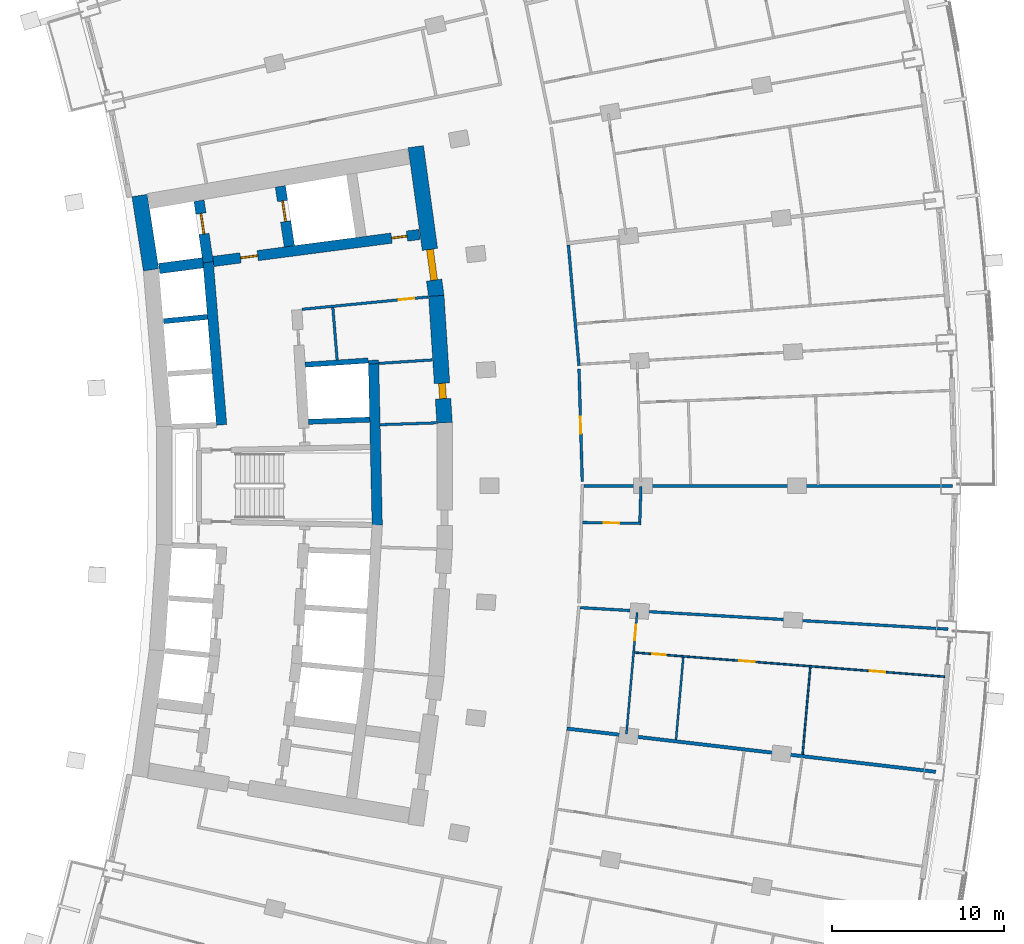
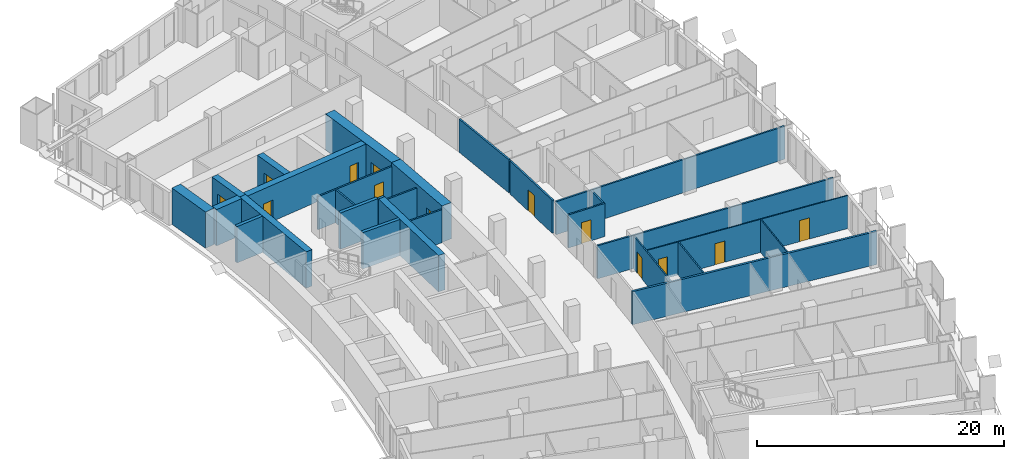
# One storey, part 17 of 25: 28 walls, 13 doors, 13 openings.
"""IFC4 building model written with IfcOpenShell, lengths in metres."""

from ifc_helpers import new_model, si_unit, direction, frame, frame_2d, origin, place, context, subcontext, project, spatial, rectangle, extrude, material, layer, layer_set, type_object, element, fill, save


model = new_model("IFC4")

# Units and contexts
model_context = context("Model", 3, precision=1e-05, world=origin(), true_north=direction((0.0, 1.0)))
body_context = subcontext(model_context, "Body", "Model", "MODEL_VIEW")
ifc_project = project(units=[si_unit("LENGTHUNIT", "METRE"), si_unit("AREAUNIT", "SQUARE_METRE"), si_unit("VOLUMEUNIT", "CUBIC_METRE"), si_unit("PLANEANGLEUNIT", "RADIAN"), si_unit("MASSUNIT", "GRAM", prefix="KILO")], contexts=[model_context])

# Site, building, storey
site_placement = place(None, origin())
site = spatial("IfcSite", under=ifc_project, at=site_placement, CompositionType="ELEMENT")
building_placement = place(site_placement, origin())
building = spatial("IfcBuilding", under=site, at=building_placement, Name="Alderwake Tower", CompositionType="ELEMENT")
storey_placement = place(building_placement, frame((0.0, 0.0, 60.800048828125)))
storey = spatial("IfcBuildingStorey", under=building, at=storey_placement, Name="L14", CompositionType="ELEMENT", Elevation=60.800048828125)

# Walls
ifc_material_1 = material(Name="Gypsum shaft wall system, rated")
ifc_layer_1 = layer(ifc_material_1, 0.14990234375)
ifc_layer_set_1 = layer_set([ifc_layer_1], Name="Core room partition 150")
wall_type_1 = type_object("IfcWallType", Name="Core room partition 150", PredefinedType="PARTITIONING", material=ifc_layer_set_1)
wall_1_placement = place(storey_placement, frame((26.94970703125, 68.3203125, 0.0), z_axis=(0.0, 0.0, 1.0), x_axis=(-0.082463525817, 0.996594083321, 0.0)))
element("IfcWall", 1, at=wall_1_placement, inside=storey, type_object=wall_type_1, Name="CW/L14/PA+107_+70", PredefinedType="PARTITIONING", context=body_context, shape_type="SweptSolid", body=[
    extrude(rectangle(XDim=3.055419921875, YDim=0.14990234375, at=frame_2d((1.52783203125, 0.0))), origin(), (0.0, 0.0, 1.0), 3.280029296875),
])
wall_2_placement = place(storey_placement, frame((29.447509765625, 64.559814453125, 0.0), z_axis=(0.0, 0.0, 1.0), x_axis=(0.999470664956, 0.032532904763, 0.0)))
element("IfcWall", 2, at=wall_2_placement, inside=storey, type_object=wall_type_1, Name="CW/L14/PR+34_+128", PredefinedType="PARTITIONING", context=body_context, shape_type="SweptSolid", body=[
    extrude(rectangle(XDim=3.264404296875, YDim=0.14990234375, at=frame_2d((1.63232421875, 0.0))), origin(), (0.0, 0.0, 1.0), 3.280029296875),
])
wall_3_placement = place(storey_placement, frame((29.36865234375, 68.1220703125, 0.0), z_axis=(0.0, 0.0, 1.0), x_axis=(0.997885090452, 0.065002663433, 0.0)))
element("IfcWall", 3, at=wall_3_placement, inside=storey, type_object=wall_type_1, Name="CW/L14/PR+68_+128", PredefinedType="PARTITIONING", context=body_context, shape_type="SweptSolid", body=[
    extrude(rectangle(XDim=3.10986328125, YDim=0.14990234375, at=frame_2d((1.554931640625, 0.0))), origin(), (0.0, 0.0, 1.0), 3.280029296875),
])

# Wall, opening, door
wall_4_placement = place(storey_placement, frame((32.233642578125, 71.982177734375, 0.0), z_axis=(0.0, 0.0, 1.0), x_axis=(-0.995245540971, -0.097397706226, 0.0)))
wall_4 = element("IfcWall", 4, at=wall_4_placement, inside=storey, type_object=wall_type_1, Name="CW/L14/PR+102_+86", PredefinedType="PARTITIONING", context=body_context, shape_type="SweptSolid", body=[
    extrude(rectangle(XDim=7.36962890625, YDim=0.14990234375, at=frame_2d((3.684814453125, 0.0))), origin(), (0.0, 0.0, 1.0), 3.280029296875),
])
opening_1_placement = place(wall_4_placement, frame((0.819580078125, 0.0, 0.0)))
opening_1 = element("IfcOpeningElement", 5, at=opening_1_placement, cuts=wall_4, Name="Opening C021", PredefinedType="OPENING", context=body_context, shape_type="SweptSolid", body=[
    extrude(rectangle(XDim=0.89990234375, YDim=2.10009765625, at=frame_2d((0.449951171875, 1.050048828125))), frame((0.0, 0.0849609375, 0.0), z_axis=(0.0, -1.0, 0.0), x_axis=(1.0, 0.0, 0.0)), (0.0, 0.0, 1.0), 0.169921875),
])
ifc_material_2 = material(Name="Painted steel leaf", Category="steel")
door_type_1 = type_object("IfcDoorType", Name="Core room door 900", OperationType="SINGLE_SWING_LEFT", PredefinedType="DOOR", material=ifc_material_2)
door_1_placement = place(opening_1_placement, origin())
door_1 = element("IfcDoor", 6, at=door_1_placement, inside=storey, type_object=door_type_1, Name="Room door", OperationType="SINGLE_SWING_RIGHT", OverallHeight=2.10009765625, OverallWidth=0.89990234375, PredefinedType="DOOR", context=body_context, shape_type="SweptSolid", body=[
    extrude(rectangle(XDim=0.89990234375, YDim=2.10009765625, at=frame_2d((0.449951171875, 1.050048828125))), frame((0.0, 0.02490234375, 0.0), z_axis=(0.0, -1.0, 0.0), x_axis=(1.0, 0.0, 0.0)), (0.0, 0.0, 1.0), 0.050048828125),
])
fill(opening_1, door_1)

# Wall
ifc_material_3 = material(Name="Concrete C70/85", Category="concrete")
ifc_layer_2 = layer(ifc_material_3, 0.89990234375)
ifc_layer_set_2 = layer_set([ifc_layer_2], Name="Core wall outer 900 C70-85")
wall_type_2 = type_object("IfcWallType", Name="Core wall outer 900 C70-85", PredefinedType="SHEAR", material=ifc_layer_set_2)
wall_5_placement = place(storey_placement, frame((16.1337890625, 73.557373046875, 0.0), z_axis=(0.0, 0.0, 1.0), x_axis=(-0.151956504286, 0.988387181627, 0.0)))
element("IfcWall", 7, at=wall_5_placement, inside=storey, type_object=wall_type_2, Name="Core wall CW.039", PredefinedType="SHEAR", context=body_context, shape_type="SweptSolid", body=[
    extrude(rectangle(XDim=4.373291015625, YDim=0.89990234375, at=frame_2d((2.1865234375, 0.0))), origin(), (0.0, 0.0, 1.0), 3.599853515625),
])

# Wall, opening, door
wall_6_placement = place(storey_placement, frame((32.710693359375, 72.04541015625, 0.0), z_axis=(0.0, 0.0, 1.0), x_axis=(0.064976219143, -0.997886812693, 0.0)))
wall_6 = element("IfcWall", 8, at=wall_6_placement, inside=storey, type_object=wall_type_2, Name="Core wall CW.010", PredefinedType="SHEAR", context=body_context, shape_type="SweptSolid", body=[
    extrude(rectangle(XDim=7.39453125, YDim=0.89990234375, at=frame_2d((3.697265625, 0.0))), origin(), (0.0, 0.0, 1.0), 3.599853515625),
])
opening_2_placement = place(wall_6_placement, frame((5.089111328125, 0.0, 0.0)))
opening_2 = element("IfcOpeningElement", 9, at=opening_2_placement, cuts=wall_6, Name="Opening C035", PredefinedType="OPENING", context=body_context, shape_type="SweptSolid", body=[
    extrude(rectangle(XDim=0.89990234375, YDim=2.10009765625, at=frame_2d((0.449951171875, 1.050048828125))), frame((0.0, 0.4599609375, 0.0), z_axis=(0.0, -1.0, 0.0), x_axis=(1.0, 0.0, 0.0)), (0.0, 0.0, 1.0), 0.919921875),
])
door_2_placement = place(opening_2_placement, origin())
door_2 = element("IfcDoor", 10, at=door_2_placement, inside=storey, type_object=door_type_1, Name="Room door", OperationType="SINGLE_SWING_RIGHT", OverallHeight=2.10009765625, OverallWidth=0.89990234375, PredefinedType="DOOR", context=body_context, shape_type="SweptSolid", body=[
    extrude(rectangle(XDim=0.89990234375, YDim=2.10009765625, at=frame_2d((0.449951171875, 1.050048828125))), frame((0.0, 0.199951171875, 0.0), z_axis=(0.0, -1.0, 0.0), x_axis=(1.0, 0.0, 0.0)), (0.0, 0.0, 1.0), 0.39990234375),
])
fill(opening_2, door_2)

wall_7_placement = place(storey_placement, frame((31.520263671875, 80.7177734375, 0.0), z_axis=(0.0, 0.0, 1.0), x_axis=(0.135844728876, -0.990730139663, 0.0)))
wall_7 = element("IfcWall", 11, at=wall_7_placement, inside=storey, type_object=wall_type_2, Name="Core wall CW.009", PredefinedType="SHEAR", context=body_context, shape_type="SweptSolid", body=[
    extrude(rectangle(XDim=8.78662109375, YDim=0.89990234375, at=frame_2d((4.393310546875, 0.0))), origin(), (0.0, 0.0, 1.0), 3.599853515625),
])
opening_3_placement = place(wall_7_placement, frame((6.02978515625, 0.0, 0.0)))
opening_3 = element("IfcOpeningElement", 12, at=opening_3_placement, cuts=wall_7, Name="Opening C001", PredefinedType="OPENING", context=body_context, shape_type="SweptSolid", body=[
    extrude(rectangle(XDim=1.800048828125, YDim=2.10009765625, at=frame_2d((0.89990234375, 1.050048828125))), frame((0.0, 0.4599609375, 0.0), z_axis=(0.0, -1.0, 0.0), x_axis=(1.0, 0.0, 0.0)), (0.0, 0.0, 1.0), 0.919921875),
])
ifc_material_4 = material(Name="Steel-framed fire door leaves", Category="steel")
door_type_2 = type_object("IfcDoorType", Name="Core double door 1800 fire-rated", OperationType="DOUBLE_DOOR_SINGLE_SWING", PredefinedType="DOOR", material=ifc_material_4)
door_3_placement = place(opening_3_placement, origin())
door_3 = element("IfcDoor", 13, at=door_3_placement, inside=storey, type_object=door_type_2, Name="Lobby double door", OperationType="DOUBLE_DOOR_SINGLE_SWING", OverallHeight=2.10009765625, OverallWidth=1.800048828125, PredefinedType="DOOR", context=body_context, shape_type="SweptSolid", body=[
    extrude(rectangle(XDim=1.800048828125, YDim=2.10009765625, at=frame_2d((0.89990234375, 1.050048828125))), frame((0.0, 0.199951171875, 0.0), z_axis=(0.0, -1.0, 0.0), x_axis=(1.0, 0.0, 0.0)), (0.0, 0.0, 1.0), 0.39990234375),
])
fill(opening_3, door_3)

# Walls
ifc_material_5 = material(Name="Concrete C70/85", Category="concrete")
ifc_layer_3 = layer(ifc_material_5, 0.300048828125)
ifc_layer_set_3 = layer_set([ifc_layer_3], Name="Core wall shaft 300 C70-85")
wall_type_3 = type_object("IfcWallType", Name="Core wall shaft 300 C70-85", PredefinedType="SHEAR", material=ifc_layer_set_3)
wall_8_placement = place(storey_placement, frame((25.291259765625, 64.72705078125, 0.0), z_axis=(0.0, 0.0, 1.0), x_axis=(0.999373231824, 0.035399767136, 0.0)))
element("IfcWall", 14, at=wall_8_placement, inside=storey, type_object=wall_type_3, Name="Core wall CW.060", PredefinedType="SHEAR", context=body_context, shape_type="SweptSolid", body=[
    extrude(rectangle(XDim=3.5517578125, YDim=0.300048828125, at=frame_2d((1.77587890625, 0.0))), origin(), (0.0, 0.0, 1.0), 3.599853515625),
])
wall_9_placement = place(storey_placement, frame((25.09228515625, 68.04541015625, 0.0), z_axis=(0.0, 0.0, 1.0), x_axis=(0.997760375614, 0.066889706642, 0.0)))
element("IfcWall", 15, at=wall_9_placement, inside=storey, type_object=wall_type_3, Name="Core wall CW.063", PredefinedType="SHEAR", context=body_context, shape_type="SweptSolid", body=[
    extrude(rectangle(XDim=3.671875, YDim=0.300048828125, at=frame_2d((1.8359375, 0.0))), origin(), (0.0, 0.0, 1.0), 3.599853515625),
])
wall_10_placement = place(storey_placement, frame((16.86181640625, 70.571533203125, 0.0), z_axis=(0.0, 0.0, 1.0), x_axis=(0.995151424955, 0.098354671516, 0.0)))
element("IfcWall", 16, at=wall_10_placement, inside=storey, type_object=wall_type_3, Name="Core wall CW.050", PredefinedType="SHEAR", context=body_context, shape_type="SweptSolid", body=[
    extrude(rectangle(XDim=2.566650390625, YDim=0.300048828125, at=frame_2d((1.283203125, 0.0))), origin(), (0.0, 0.0, 1.0), 3.599853515625),
])
ifc_material_6 = material(Name="Concrete C70/85", Category="concrete")
ifc_layer_4 = layer(ifc_material_6, 0.60009765625)
ifc_layer_set_4 = layer_set([ifc_layer_4], Name="Core wall spine 600 C70-85")
wall_type_4 = type_object("IfcWallType", Name="Core wall spine 600 C70-85", PredefinedType="SHEAR", material=ifc_layer_set_4)
wall_11_placement = place(storey_placement, frame((20.2373046875, 64.548095703125, 0.0), z_axis=(0.0, 0.0, 1.0), x_axis=(-0.082626598613, 0.996580576372, 0.0)))
element("IfcWall", 17, at=wall_11_placement, inside=storey, type_object=wall_type_4, Name="Core wall CW.031", PredefinedType="SHEAR", context=body_context, shape_type="SweptSolid", body=[
    extrude(rectangle(XDim=9.50244140625, YDim=0.60009765625, at=frame_2d((4.751220703125, 0.0))), origin(), (0.0, 0.0, 1.0), 3.599853515625),
])

# Wall, opening, door
wall_12_placement = place(storey_placement, frame((19.45458984375, 73.99755859375, 0.0), z_axis=(0.0, 0.0, 1.0), x_axis=(-0.147502312715, 0.989061710786, 0.0)))
wall_12 = element("IfcWall", 18, at=wall_12_placement, inside=storey, type_object=wall_type_4, Name="Core wall CW.030", PredefinedType="SHEAR", context=body_context, shape_type="SweptSolid", body=[
    extrude(rectangle(XDim=3.6181640625, YDim=0.60009765625, at=frame_2d((1.80908203125, 0.0))), origin(), (0.0, 0.0, 1.0), 3.599853515625),
])
opening_4_placement = place(wall_12_placement, frame((1.664306640625, 0.0, 0.0)))
opening_4 = element("IfcOpeningElement", 19, at=opening_4_placement, cuts=wall_12, Name="Opening LD-FF1", PredefinedType="OPENING", context=body_context, shape_type="SweptSolid", body=[
    extrude(rectangle(XDim=1.199951171875, YDim=2.300048828125, at=frame_2d((0.60009765625, 1.14990234375))), frame((0.0, 0.31005859375, 0.0), z_axis=(0.0, -1.0, 0.0), x_axis=(1.0, 0.0, 0.0)), (0.0, 0.0, 1.0), 0.6201171875),
])
ifc_material_7 = material(Name="Stainless steel sliding leaf", Category="steel")
door_type_3 = type_object("IfcDoorType", Name="Lift landing door 1200", OperationType="SLIDING_TO_LEFT", PredefinedType="DOOR", material=ifc_material_7)
door_4_placement = place(opening_4_placement, origin())
door_4 = element("IfcDoor", 20, at=door_4_placement, inside=storey, type_object=door_type_3, Name="Lift landing door FF1", OperationType="SLIDING_TO_LEFT", OverallHeight=2.300048828125, OverallWidth=1.199951171875, PredefinedType="DOOR", context=body_context, shape_type="SweptSolid", body=[
    extrude(rectangle(XDim=1.199951171875, YDim=2.300048828125, at=frame_2d((0.60009765625, 1.14990234375))), frame((0.0, 0.050048828125, 0.0), z_axis=(0.0, -1.0, 0.0), x_axis=(1.0, 0.0, 0.0)), (0.0, 0.0, 1.0), 0.10009765625),
])
fill(opening_4, door_4)

wall_13_placement = place(storey_placement, frame((24.173095703125, 74.927734375, 0.0), z_axis=(0.0, 0.0, 1.0), x_axis=(-0.14910953086, 0.988820685365, 0.0)))
wall_13 = element("IfcWall", 21, at=wall_13_placement, inside=storey, type_object=wall_type_4, Name="Core wall CW.044", PredefinedType="SHEAR", context=body_context, shape_type="SweptSolid", body=[
    extrude(rectangle(XDim=3.5234375, YDim=0.60009765625, at=frame_2d((1.76171875, 0.0))), origin(), (0.0, 0.0, 1.0), 3.599853515625),
])
opening_5_placement = place(wall_13_placement, frame((1.4619140625, 0.0, 0.0)))
opening_5 = element("IfcOpeningElement", 22, at=opening_5_placement, cuts=wall_13, Name="Opening LD-FF2", PredefinedType="OPENING", context=body_context, shape_type="SweptSolid", body=[
    extrude(rectangle(XDim=1.199951171875, YDim=2.300048828125, at=frame_2d((0.60009765625, 1.14990234375))), frame((0.0, 0.31005859375, 0.0), z_axis=(0.0, -1.0, 0.0), x_axis=(1.0, 0.0, 0.0)), (0.0, 0.0, 1.0), 0.6201171875),
])
door_5_placement = place(opening_5_placement, origin())
door_5 = element("IfcDoor", 23, at=door_5_placement, inside=storey, type_object=door_type_3, Name="Lift landing door FF2", OperationType="SLIDING_TO_LEFT", OverallHeight=2.300048828125, OverallWidth=1.199951171875, PredefinedType="DOOR", context=body_context, shape_type="SweptSolid", body=[
    extrude(rectangle(XDim=1.199951171875, YDim=2.300048828125, at=frame_2d((0.60009765625, 1.14990234375))), frame((0.0, 0.050048828125, 0.0), z_axis=(0.0, -1.0, 0.0), x_axis=(1.0, 0.0, 0.0)), (0.0, 0.0, 1.0), 0.10009765625),
])
fill(opening_5, door_5)

# Walls
wall_14_placement = place(storey_placement, frame((29.276611328125, 58.714111328125, 0.0), z_axis=(0.0, 0.0, 1.0), x_axis=(-0.022107681417, 0.999755595344, 0.0)))
element("IfcWall", 24, at=wall_14_placement, inside=storey, type_object=wall_type_4, Name="Core wall CW.007", PredefinedType="SHEAR", context=body_context, shape_type="SweptSolid", body=[
    extrude(rectangle(XDim=9.397705078125, YDim=0.60009765625, at=frame_2d((4.69873046875, 0.0))), origin(), (0.0, 0.0, 1.0), 3.599853515625),
])
wall_15_placement = place(storey_placement, frame((29.069580078125, 68.095458984375, 0.0), z_axis=(0.0, 0.0, 1.0), x_axis=(-0.066669007539, 0.997775146731, 0.0)))
element("IfcWall", 25, at=wall_15_placement, inside=storey, type_object=wall_type_4, Name="Core wall CW.003", PredefinedType="SHEAR", context=body_context, shape_type="SweptSolid", body=[
    extrude(rectangle(XDim=0.216064453125, YDim=0.60009765625, at=frame_2d((0.10791015625, 0.0))), origin(), (0.0, 0.0, 1.0), 3.599853515625),
])
wall_16_placement = place(storey_placement, frame((16.607666015625, 73.635498046875, 0.0), z_axis=(0.0, 0.0, 1.0), x_axis=(0.991551057449, 0.129717001478, 0.0)))
element("IfcWall", 26, at=wall_16_placement, inside=storey, type_object=wall_type_4, Name="Core wall CW.051", PredefinedType="SHEAR", context=body_context, shape_type="SweptSolid", body=[
    extrude(rectangle(XDim=2.569091796875, YDim=0.60009765625, at=frame_2d((1.28466796875, 0.0))), origin(), (0.0, 0.0, 1.0), 3.599853515625),
])

# Wall, openings, doors
wall_17_placement = place(storey_placement, frame((31.735595703125, 75.6142578125, 0.0), z_axis=(0.0, 0.0, 1.0), x_axis=(-0.991553829991, -0.129695806526, 0.0)))
wall_17 = element("IfcWall", 27, at=wall_17_placement, inside=storey, type_object=wall_type_4, Name="Core wall CW.052", PredefinedType="SHEAR", context=body_context, shape_type="SweptSolid", body=[
    extrude(rectangle(XDim=12.0869140625, YDim=0.60009765625, at=frame_2d((6.04345703125, 0.0))), origin(), (0.0, 0.0, 1.0), 3.599853515625),
])
opening_6_placement = place(wall_17_placement, frame((9.4873046875, 0.0, 0.0)))
opening_6 = element("IfcOpeningElement", 28, at=opening_6_placement, cuts=wall_17, Name="Opening C002", PredefinedType="OPENING", context=body_context, shape_type="SweptSolid", body=[
    extrude(rectangle(XDim=1.0, YDim=2.10009765625, at=frame_2d((0.5, 1.050048828125))), frame((0.0, 0.31005859375, 0.0), z_axis=(0.0, -1.0, 0.0), x_axis=(1.0, 0.0, 0.0)), (0.0, 0.0, 1.0), 0.6201171875),
])
opening_7_placement = place(wall_17_placement, frame((0.7373046875, 0.0, 0.0)))
opening_7 = element("IfcOpeningElement", 29, at=opening_7_placement, cuts=wall_17, Name="Opening C020", PredefinedType="OPENING", context=body_context, shape_type="SweptSolid", body=[
    extrude(rectangle(XDim=0.89990234375, YDim=2.10009765625, at=frame_2d((0.449951171875, 1.050048828125))), frame((0.0, 0.31005859375, 0.0), z_axis=(0.0, -1.0, 0.0), x_axis=(1.0, 0.0, 0.0)), (0.0, 0.0, 1.0), 0.6201171875),
])
door_6_placement = place(opening_7_placement, origin())
door_6 = element("IfcDoor", 30, at=door_6_placement, inside=storey, type_object=door_type_1, Name="Room door", OperationType="SINGLE_SWING_LEFT", OverallHeight=2.10009765625, OverallWidth=0.89990234375, PredefinedType="DOOR", context=body_context, shape_type="SweptSolid", body=[
    extrude(rectangle(XDim=0.89990234375, YDim=2.10009765625, at=frame_2d((0.449951171875, 1.050048828125))), frame((0.0, 0.050048828125, 0.0), z_axis=(0.0, -1.0, 0.0), x_axis=(1.0, 0.0, 0.0)), (0.0, 0.0, 1.0), 0.10009765625),
])
fill(opening_7, door_6)
ifc_material_8 = material(Name="Steel-framed fire door leaf", Category="steel")
door_type_4 = type_object("IfcDoorType", Name="Firefighting lobby door 1000 fire-rated", OperationType="SINGLE_SWING_LEFT", PredefinedType="DOOR", material=ifc_material_8)
door_7_placement = place(opening_6_placement, origin())
door_7 = element("IfcDoor", 31, at=door_7_placement, inside=storey, type_object=door_type_4, Name="Firefighting lobby door", OperationType="SINGLE_SWING_RIGHT", OverallHeight=2.10009765625, OverallWidth=1.0, PredefinedType="DOOR", context=body_context, shape_type="SweptSolid", body=[
    extrude(rectangle(XDim=1.0, YDim=2.10009765625, at=frame_2d((0.5, 1.050048828125))), frame((0.0, 0.050048828125, 0.0), z_axis=(0.0, -1.0, 0.0), x_axis=(1.0, 0.0, 0.0)), (0.0, 0.0, 1.0), 0.10009765625),
])
fill(opening_6, door_7)

# Wall
ifc_material_9 = material(Name="Gypsum board on metal studs, rated")
ifc_layer_5 = layer(ifc_material_9, 0.159912109375)
ifc_layer_set_5 = layer_set([ifc_layer_5], Name="Corridor wall 160")
wall_type_5 = type_object("IfcWallType", Name="Corridor wall 160", PredefinedType="PARTITIONING", material=ifc_layer_set_5)
wall_18_placement = place(storey_placement, frame((41.001953125, 67.9873046875, 0.0), z_axis=(0.0, 0.0, 1.0), x_axis=(-0.087430787456, 0.996170596537, 0.0)))
element("IfcWall", 32, at=wall_18_placement, inside=storey, type_object=wall_type_5, Name="WL/L14/W37", PredefinedType="PARTITIONING", context=body_context, shape_type="SweptSolid", body=[
    extrude(rectangle(XDim=7.048095703125, YDim=0.159912109375, at=frame_2d((3.52392578125, 0.0))), origin(), (0.0, 0.0, 1.0), 3.280029296875),
])

# Wall, opening, door
wall_19_placement = place(storey_placement, frame((41.002685546875, 67.80029296875, 0.0), z_axis=(0.0, 0.0, 1.0), x_axis=(0.02886788617, -0.999583235728, 0.0)))
wall_19 = element("IfcWall", 33, at=wall_19_placement, inside=storey, type_object=wall_type_5, Name="WL/L14/W38", PredefinedType="PARTITIONING", context=body_context, shape_type="SweptSolid", body=[
    extrude(rectangle(XDim=6.537353515625, YDim=0.159912109375, at=frame_2d((3.2685546875, 0.0))), origin(), (0.0, 0.0, 1.0), 3.280029296875),
])
opening_8_placement = place(wall_19_placement, frame((2.768798828125, 0.0, 0.0)))
opening_8 = element("IfcOpeningElement", 34, at=opening_8_placement, cuts=wall_19, Name="Opening R03-U07.2", PredefinedType="OPENING", context=body_context, shape_type="SweptSolid", body=[
    extrude(rectangle(XDim=1.0, YDim=2.10009765625, at=frame_2d((0.5, 1.050048828125))), frame((0.0, 0.08984375, 0.0), z_axis=(0.0, -1.0, 0.0), x_axis=(1.0, 0.0, 0.0)), (0.0, 0.0, 1.0), 0.179931640625),
])
ifc_material_10 = material(Name="Solid timber leaf in steel frame", Category="steel")
door_type_5 = type_object("IfcDoorType", Name="Flat entrance door 1000 fire-rated", OperationType="SINGLE_SWING_LEFT", PredefinedType="DOOR", material=ifc_material_10)
door_8_placement = place(opening_8_placement, origin())
door_8 = element("IfcDoor", 35, at=door_8_placement, inside=storey, type_object=door_type_5, Name="DR/L14/U07.2", OperationType="SINGLE_SWING_LEFT", OverallHeight=2.10009765625, OverallWidth=1.0, PredefinedType="DOOR", context=body_context, shape_type="SweptSolid", body=[
    extrude(rectangle(XDim=1.0, YDim=2.10009765625, at=frame_2d((0.5, 1.050048828125))), frame((0.0, 0.02490234375, 0.0), z_axis=(0.0, -1.0, 0.0), x_axis=(1.0, 0.0, 0.0)), (0.0, 0.0, 1.0), 0.050048828125),
])
fill(opening_8, door_8)

# Walls
wall_20_placement = place(storey_placement, frame((62.45703125, 52.679931640625, 0.0), z_axis=(0.0, 0.0, 1.0), x_axis=(-0.998297563593, 0.058326447893, 0.0)))
element("IfcWall", 36, at=wall_20_placement, inside=storey, type_object=wall_type_5, Name="WL/L14/W39", PredefinedType="PARTITIONING", context=body_context, shape_type="SweptSolid", body=[
    extrude(rectangle(XDim=21.41845703125, YDim=0.159912109375, at=frame_2d((10.709228515625, 0.0))), origin(), (0.0, 0.0, 1.0), 3.280029296875),
])
wall_21_placement = place(storey_placement, frame((62.699951171875, 60.9990234375, 0.0), z_axis=(0.0, 0.0, 1.0), x_axis=(-1.0, 0.0, 0.0)))
element("IfcWall", 37, at=wall_21_placement, inside=storey, type_object=wall_type_5, Name="WL/L14/W40", PredefinedType="PARTITIONING", context=body_context, shape_type="SweptSolid", body=[
    extrude(rectangle(XDim=21.4208984375, YDim=0.159912109375, at=frame_2d((10.71044921875, 0.0))), origin(), (0.0, 0.0, 1.0), 3.280029296875),
])
ifc_material_11 = material(Name="Dense block masonry wall", Category="masonry")
ifc_layer_6 = layer(ifc_material_11, 0.199951171875)
ifc_layer_set_6 = layer_set([ifc_layer_6], Name="Party wall 200")
wall_type_6 = type_object("IfcWallType", Name="Party wall 200", PredefinedType="SOLIDWALL", material=ifc_layer_set_6)
wall_22_placement = place(storey_placement, frame((40.297607421875, 46.90234375, 0.0), z_axis=(0.0, 0.0, 1.0), x_axis=(0.99318908438, -0.116513701633, 0.0)))
element("IfcWall", 38, at=wall_22_placement, inside=storey, type_object=wall_type_6, Name="WL/L14/W06", PredefinedType="SOLIDWALL", context=body_context, shape_type="SweptSolid", body=[
    extrude(rectangle(XDim=21.580322265625, YDim=0.199951171875, at=frame_2d((10.7900390625, 0.0))), origin(), (0.0, 0.0, 1.0), 3.280029296875),
])

# Wall, opening, door
ifc_material_12 = material(Name="Gypsum shaft wall system, rated")
ifc_layer_7 = layer(ifc_material_12, 0.14990234375)
ifc_layer_set_7 = layer_set([ifc_layer_7], Name="Riser and shaft wall 150")
wall_type_7 = type_object("IfcWallType", Name="Riser and shaft wall 150", PredefinedType="PARTITIONING", material=ifc_layer_set_7)
wall_23_placement = place(storey_placement, frame((41.218994140625, 58.879638671875, 0.0), z_axis=(0.0, 0.0, 1.0), x_axis=(0.999843204507, -0.017707806214, 0.0)))
wall_23 = element("IfcWall", 39, at=wall_23_placement, inside=storey, type_object=wall_type_7, Name="WL/L14/W11", PredefinedType="PARTITIONING", context=body_context, shape_type="SweptSolid", body=[
    extrude(rectangle(XDim=3.3916015625, YDim=0.14990234375, at=frame_2d((1.69580078125, 0.0))), origin(), (0.0, 0.0, 1.0), 3.280029296875),
])
opening_9_placement = place(wall_23_placement, frame((1.208984375, 0.0, 0.0)))
opening_9 = element("IfcOpeningElement", 40, at=opening_9_placement, cuts=wall_23, Name="Opening R03-AM1.2", PredefinedType="OPENING", context=body_context, shape_type="SweptSolid", body=[
    extrude(rectangle(XDim=0.89990234375, YDim=2.10009765625, at=frame_2d((0.449951171875, 1.050048828125))), frame((0.0, 0.0849609375, 0.0), z_axis=(0.0, -1.0, 0.0), x_axis=(1.0, 0.0, 0.0)), (0.0, 0.0, 1.0), 0.169921875),
])
ifc_material_13 = material(Name="Painted timber leaf", Category="wood")
door_type_6 = type_object("IfcDoorType", Name="Room door 900", OperationType="SINGLE_SWING_LEFT", PredefinedType="DOOR", material=ifc_material_13)
door_9_placement = place(opening_9_placement, origin())
door_9 = element("IfcDoor", 41, at=door_9_placement, inside=storey, type_object=door_type_6, Name="DR/L14/AM1.2", OperationType="SINGLE_SWING_LEFT", OverallHeight=2.10009765625, OverallWidth=0.89990234375, PredefinedType="DOOR", context=body_context, shape_type="SweptSolid", body=[
    extrude(rectangle(XDim=0.89990234375, YDim=2.10009765625, at=frame_2d((0.449951171875, 1.050048828125))), frame((0.0, 0.02490234375, 0.0), z_axis=(0.0, -1.0, 0.0), x_axis=(1.0, 0.0, 0.0)), (0.0, 0.0, 1.0), 0.050048828125),
])
fill(opening_9, door_9)

# Wall
wall_24_placement = place(storey_placement, frame((44.537353515625, 58.89599609375, 0.0), z_axis=(0.0, 0.0, 1.0), x_axis=(0.030225283969, 0.999543111731, 0.0)))
element("IfcWall", 42, at=wall_24_placement, inside=storey, type_object=wall_type_7, Name="WL/L14/W12", PredefinedType="PARTITIONING", context=body_context, shape_type="SweptSolid", body=[
    extrude(rectangle(XDim=2.083984375, YDim=0.14990234375, at=frame_2d((1.0419921875, 0.0))), origin(), (0.0, 0.0, 1.0), 3.280029296875),
])

# Wall, openings, doors
ifc_material_14 = material(Name="Gypsum board on metal studs")
ifc_layer_8 = layer(ifc_material_14, 0.10009765625)
ifc_layer_set_8 = layer_set([ifc_layer_8], Name="Unit partition 100")
wall_type_8 = type_object("IfcWallType", Name="Unit partition 100", PredefinedType="PARTITIONING", material=ifc_layer_set_8)
wall_25_placement = place(storey_placement, frame((62.264892578125, 49.9140625, 0.0), z_axis=(0.0, 0.0, 1.0), x_axis=(-0.996976391014, 0.077705056217, 0.0)))
wall_25 = element("IfcWall", 43, at=wall_25_placement, inside=storey, type_object=wall_type_8, Name="WL/L14/W73", PredefinedType="PARTITIONING", context=body_context, shape_type="SweptSolid", body=[
    extrude(rectangle(XDim=18.084716796875, YDim=0.10009765625, at=frame_2d((9.04248046875, 0.0))), origin(), (0.0, 0.0, 1.0), 3.280029296875),
])
opening_10_placement = place(wall_25_placement, frame((11.09326171875, 0.0, 0.0)))
opening_10 = element("IfcOpeningElement", 44, at=opening_10_placement, cuts=wall_25, Name="Opening R03-U06.1", PredefinedType="OPENING", context=body_context, shape_type="SweptSolid", body=[
    extrude(rectangle(XDim=0.89990234375, YDim=2.10009765625, at=frame_2d((0.449951171875, 1.050048828125))), frame((0.0, 0.06005859375, 0.0), z_axis=(0.0, -1.0, 0.0), x_axis=(1.0, 0.0, 0.0)), (0.0, 0.0, 1.0), 0.1201171875),
])
opening_11_placement = place(wall_25_placement, frame((16.2646484375, 0.0, 0.0)))
opening_11 = element("IfcOpeningElement", 45, at=opening_11_placement, cuts=wall_25, Name="Opening R03-U06.4", PredefinedType="OPENING", context=body_context, shape_type="SweptSolid", body=[
    extrude(rectangle(XDim=0.800048828125, YDim=2.10009765625, at=frame_2d((0.39990234375, 1.050048828125))), frame((0.0, 0.06005859375, 0.0), z_axis=(0.0, -1.0, 0.0), x_axis=(1.0, 0.0, 0.0)), (0.0, 0.0, 1.0), 0.1201171875),
])
opening_12_placement = place(wall_25_placement, frame((3.470947265625, 0.0, 0.0)))
opening_12 = element("IfcOpeningElement", 46, at=opening_12_placement, cuts=wall_25, Name="Opening R03-U06.5", PredefinedType="OPENING", context=body_context, shape_type="SweptSolid", body=[
    extrude(rectangle(XDim=0.89990234375, YDim=2.10009765625, at=frame_2d((0.449951171875, 1.050048828125))), frame((0.0, 0.06005859375, 0.0), z_axis=(0.0, -1.0, 0.0), x_axis=(1.0, 0.0, 0.0)), (0.0, 0.0, 1.0), 0.1201171875),
])
ifc_material_15 = material(Name="Painted timber leaf", Category="wood")
door_type_7 = type_object("IfcDoorType", Name="Bathroom door 800", OperationType="SINGLE_SWING_LEFT", PredefinedType="DOOR", material=ifc_material_15)
door_10_placement = place(opening_11_placement, origin())
door_10 = element("IfcDoor", 47, at=door_10_placement, inside=storey, type_object=door_type_7, Name="DR/L14/U06.4", OperationType="SINGLE_SWING_LEFT", OverallHeight=2.10009765625, OverallWidth=0.800048828125, PredefinedType="DOOR", context=body_context, shape_type="SweptSolid", body=[
    extrude(rectangle(XDim=0.800048828125, YDim=2.10009765625, at=frame_2d((0.39990234375, 1.050048828125))), frame((0.0, 0.02490234375, 0.0), z_axis=(0.0, -1.0, 0.0), x_axis=(1.0, 0.0, 0.0)), (0.0, 0.0, 1.0), 0.050048828125),
])
fill(opening_11, door_10)
door_11_placement = place(opening_10_placement, origin())
door_11 = element("IfcDoor", 48, at=door_11_placement, inside=storey, type_object=door_type_6, Name="DR/L14/U06.1", OperationType="SINGLE_SWING_LEFT", OverallHeight=2.10009765625, OverallWidth=0.89990234375, PredefinedType="DOOR", context=body_context, shape_type="SweptSolid", body=[
    extrude(rectangle(XDim=0.89990234375, YDim=2.10009765625, at=frame_2d((0.449951171875, 1.050048828125))), frame((0.0, 0.02490234375, 0.0), z_axis=(0.0, -1.0, 0.0), x_axis=(1.0, 0.0, 0.0)), (0.0, 0.0, 1.0), 0.050048828125),
])
fill(opening_10, door_11)
door_12_placement = place(opening_12_placement, origin())
door_12 = element("IfcDoor", 49, at=door_12_placement, inside=storey, type_object=door_type_6, Name="DR/L14/U06.5", OperationType="SINGLE_SWING_LEFT", OverallHeight=2.10009765625, OverallWidth=0.89990234375, PredefinedType="DOOR", context=body_context, shape_type="SweptSolid", body=[
    extrude(rectangle(XDim=0.89990234375, YDim=2.10009765625, at=frame_2d((0.449951171875, 1.050048828125))), frame((0.0, 0.02490234375, 0.0), z_axis=(0.0, -1.0, 0.0), x_axis=(1.0, 0.0, 0.0)), (0.0, 0.0, 1.0), 0.050048828125),
])
fill(opening_12, door_12)

# Wall
wall_26_placement = place(storey_placement, frame((53.996826171875, 45.396728515625, 0.0), z_axis=(0.0, 0.0, 1.0), x_axis=(0.087481335353, 0.996166158813, 0.0)))
element("IfcWall", 50, at=wall_26_placement, inside=storey, type_object=wall_type_8, Name="WL/L14/W86", PredefinedType="PARTITIONING", context=body_context, shape_type="SweptSolid", body=[
    extrude(rectangle(XDim=5.095947265625, YDim=0.10009765625, at=frame_2d((2.5478515625, 0.0))), origin(), (0.0, 0.0, 1.0), 3.280029296875),
])

# Wall, opening, door
ifc_material_16 = material(Name="Moisture resistant gypsum board on metal studs")
ifc_layer_9 = layer(ifc_material_16, 0.1201171875)
ifc_layer_set_9 = layer_set([ifc_layer_9], Name="Wet room partition 120")
wall_type_9 = type_object("IfcWallType", Name="Wet room partition 120", PredefinedType="PARTITIONING", material=ifc_layer_set_9)
wall_27_placement = place(storey_placement, frame((44.381103515625, 53.65625, 0.0), z_axis=(0.0, 0.0, 1.0), x_axis=(-0.087537888568, -0.996161190805, 0.0)))
wall_27 = element("IfcWall", 51, at=wall_27_placement, inside=storey, type_object=wall_type_9, Name="WL/L14/W57", PredefinedType="PARTITIONING", context=body_context, shape_type="SweptSolid", body=[
    extrude(rectangle(XDim=7.086669921875, YDim=0.1201171875, at=frame_2d((3.54345703125, 0.0))), origin(), (0.0, 0.0, 1.0), 3.280029296875),
])
opening_13_placement = place(wall_27_placement, frame((0.72119140625, 0.0, 0.0)))
opening_13 = element("IfcOpeningElement", 52, at=opening_13_placement, cuts=wall_27, Name="Opening R03-U06.3", PredefinedType="OPENING", context=body_context, shape_type="SweptSolid", body=[
    extrude(rectangle(XDim=0.89990234375, YDim=2.10009765625, at=frame_2d((0.449951171875, 1.050048828125))), frame((0.0, 0.070068359375, 0.0), z_axis=(0.0, -1.0, 0.0), x_axis=(1.0, 0.0, 0.0)), (0.0, 0.0, 1.0), 0.14013671875),
])
door_13_placement = place(opening_13_placement, origin())
door_13 = element("IfcDoor", 53, at=door_13_placement, inside=storey, type_object=door_type_6, Name="DR/L14/U06.3", OperationType="SINGLE_SWING_LEFT", OverallHeight=2.10009765625, OverallWidth=0.89990234375, PredefinedType="DOOR", context=body_context, shape_type="SweptSolid", body=[
    extrude(rectangle(XDim=0.89990234375, YDim=2.10009765625, at=frame_2d((0.449951171875, 1.050048828125))), frame((0.0, 0.02490234375, 0.0), z_axis=(0.0, -1.0, 0.0), x_axis=(1.0, 0.0, 0.0)), (0.0, 0.0, 1.0), 0.050048828125),
])
fill(opening_13, door_13)

# Wall
wall_28_placement = place(storey_placement, frame((46.640869140625, 46.2578125, 0.0), z_axis=(0.0, 0.0, 1.0), x_axis=(0.087714452347, 0.996145659454, 0.0)))
element("IfcWall", 54, at=wall_28_placement, inside=storey, type_object=wall_type_9, Name="WL/L14/W61", PredefinedType="PARTITIONING", context=body_context, shape_type="SweptSolid", body=[
    extrude(rectangle(XDim=4.806884765625, YDim=0.1201171875, at=frame_2d((2.4033203125, 0.0))), origin(), (0.0, 0.0, 1.0), 3.280029296875),
])

save(model, "model.ifc")
